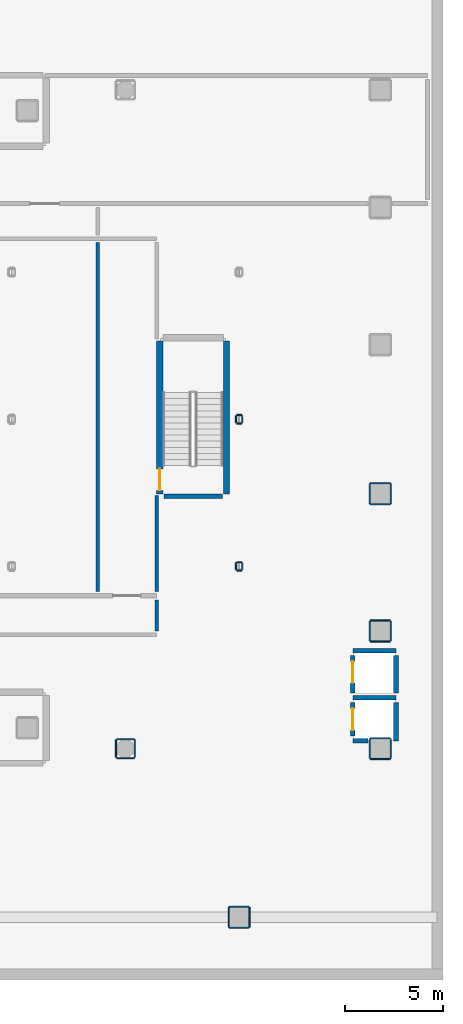
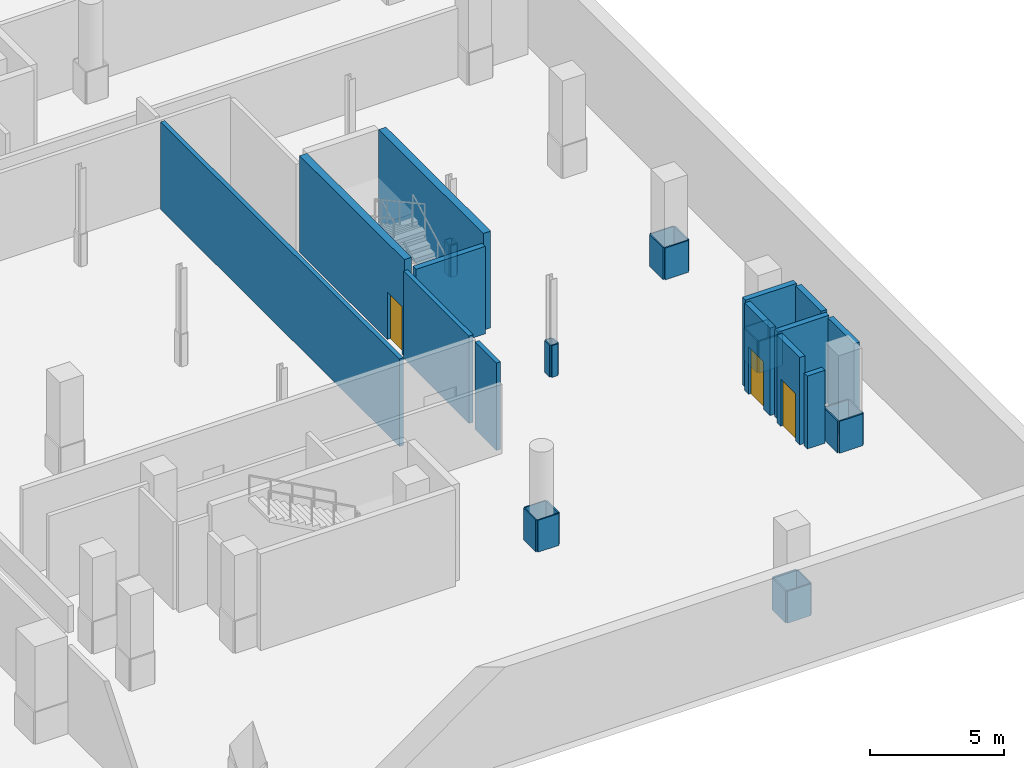
# One storey, part 15 of 22: 41 walls, 3 doors, 3 openings.
"""IFC4 building model written with IfcOpenShell, lengths in metres."""

from ifc_helpers import new_model, si_unit, direction, frame, frame_2d, origin, place, context, subcontext, project, spatial, rectangle, extrude, material, layer, layer_set, type_object, element, fill, save


model = new_model("IFC4")

# Units and contexts
model_context = context("Model", 3, precision=1e-05, world=origin(), true_north=direction((0.0, 1.0)))
body_context = subcontext(model_context, "Body", "Model", "MODEL_VIEW")
ifc_project = project(units=[si_unit("LENGTHUNIT", "METRE"), si_unit("AREAUNIT", "SQUARE_METRE"), si_unit("VOLUMEUNIT", "CUBIC_METRE"), si_unit("PLANEANGLEUNIT", "RADIAN"), si_unit("MASSUNIT", "GRAM", prefix="KILO")], contexts=[model_context])

# Site, building, storey
site_placement = place(None, origin())
site = spatial("IfcSite", under=ifc_project, at=site_placement, CompositionType="ELEMENT")
building_placement = place(site_placement, origin())
building = spatial("IfcBuilding", under=site, at=building_placement, Name="Solanera Arch Residences", CompositionType="ELEMENT")
storey_placement = place(building_placement, frame((0.0, 0.0, -4.39990234375)))
storey = spatial("IfcBuildingStorey", under=building, at=storey_placement, Name="B01", CompositionType="ELEMENT", Elevation=-4.39990234375)

# Walls
ifc_material_1 = material(Name="Fire-Rated Gypsum Stud Partition", Category="gypsum")
ifc_layer_1 = layer(ifc_material_1, 0.06005859375)
ifc_layer_set_1 = layer_set([ifc_layer_1], Name="Fire-Rated Gypsum Stud Partition")
wall_type_1 = type_object("IfcWallType", Name="Column Acoustic Furring Wall 60", PredefinedType="PARTITIONING", material=ifc_layer_set_1)
for number, where, z_axis, x_axis, name in (
    (1, (74.470947265625, 22.886962890625, 0.0), (0.0, 0.0, 1.0), (1.0, 0.0, 0.0), "B01 Column Furring 28S"),
    (2, (74.470947265625, 23.31396484375, 0.0), (0.0, 0.0, 1.0), (1.0, 0.0, 0.0), "B01 Column Furring 28N"),
):
    element("IfcWall", number, at=place(storey_placement, frame(where, z_axis=z_axis, x_axis=x_axis)), inside=storey, type_object=wall_type_1, Name=name, PredefinedType="PARTITIONING", context=body_context, shape_type="SweptSolid", body=[
        extrude(rectangle(XDim=0.257080078125, YDim=0.06005859375, at=frame_2d((0.12841796875, 0.0))), origin(), (0.0, 0.0, 1.0), 1.449951171875),
    ])
for number, where, z_axis, x_axis, name in (
    (3, (74.43896484375, 22.9189453125, 0.0), (0.0, 0.0, 1.0), (0.0, 1.0, 0.0), "B01 Column Furring 28W"),
    (4, (74.760009765625, 22.9189453125, 0.0), (0.0, 0.0, 1.0), (0.0, 1.0, 0.0), "B01 Column Furring 28E"),
):
    element("IfcWall", number, at=place(storey_placement, frame(where, z_axis=z_axis, x_axis=x_axis)), inside=storey, type_object=wall_type_1, Name=name, PredefinedType="PARTITIONING", context=body_context, shape_type="SweptSolid", body=[
        extrude(rectangle(XDim=0.363037109375, YDim=0.06005859375, at=frame_2d((0.181640625, 0.0))), origin(), (0.0, 0.0, 1.0), 1.449951171875),
    ])
for number, where, z_axis, x_axis, name in (
    (5, (74.470947265625, 30.386962890625, 0.0), (0.0, 0.0, 1.0), (1.0, 0.0, 0.0), "B01 Column Furring 30S"),
    (6, (74.470947265625, 30.81396484375, 0.0), (0.0, 0.0, 1.0), (1.0, 0.0, 0.0), "B01 Column Furring 30N"),
):
    element("IfcWall", number, at=place(storey_placement, frame(where, z_axis=z_axis, x_axis=x_axis)), inside=storey, type_object=wall_type_1, Name=name, PredefinedType="PARTITIONING", context=body_context, shape_type="SweptSolid", body=[
        extrude(rectangle(XDim=0.257080078125, YDim=0.06005859375, at=frame_2d((0.12841796875, 0.0))), origin(), (0.0, 0.0, 1.0), 1.449951171875),
    ])
for number, where, z_axis, x_axis, name in (
    (7, (74.43896484375, 30.4189453125, 0.0), (0.0, 0.0, 1.0), (0.0, 1.0, 0.0), "B01 Column Furring 30W"),
    (8, (74.760009765625, 30.4189453125, 0.0), (0.0, 0.0, 1.0), (0.0, 1.0, 0.0), "B01 Column Furring 30E"),
):
    element("IfcWall", number, at=place(storey_placement, frame(where, z_axis=z_axis, x_axis=x_axis)), inside=storey, type_object=wall_type_1, Name=name, PredefinedType="PARTITIONING", context=body_context, shape_type="SweptSolid", body=[
        extrude(rectangle(XDim=0.363037109375, YDim=0.06005859375, at=frame_2d((0.181640625, 0.0))), origin(), (0.0, 0.0, 1.0), 1.449951171875),
    ])
for number, where, z_axis, x_axis, name in (
    (9, (74.10009765625, 4.66796875, 0.0), (0.0, 0.0, 1.0), (1.0, 0.0, 0.0), "B01 Column Furring 37S"),
    (10, (74.10009765625, 5.73193359375, 0.0), (0.0, 0.0, 1.0), (1.0, 0.0, 0.0), "B01 Column Furring 37N"),
    (11, (74.068115234375, 4.699951171875, 0.0), (0.0, 0.0, 1.0), (0.0, 1.0, 0.0), "B01 Column Furring 37W"),
    (12, (75.132080078125, 4.699951171875, 0.0), (0.0, 0.0, 1.0), (0.0, 1.0, 0.0), "B01 Column Furring 37E"),
    (13, (81.300048828125, 13.26806640625, 0.0), (0.0, 0.0, 1.0), (1.0, 0.0, 0.0), "B01 Column Furring 49S"),
    (14, (81.300048828125, 14.33203125, 0.0), (0.0, 0.0, 1.0), (1.0, 0.0, 0.0), "B01 Column Furring 49N"),
    (15, (81.26806640625, 13.300048828125, 0.0), (0.0, 0.0, 1.0), (0.0, 1.0, 0.0), "B01 Column Furring 49W"),
    (16, (82.33203125, 13.300048828125, 0.0), (0.0, 0.0, 1.0), (0.0, 1.0, 0.0), "B01 Column Furring 49E"),
    (17, (81.300048828125, 19.26806640625, 0.0), (0.0, 0.0, 1.0), (1.0, 0.0, 0.0), "B01 Column Furring 50S"),
    (18, (81.300048828125, 20.33203125, 0.0), (0.0, 0.0, 1.0), (1.0, 0.0, 0.0), "B01 Column Furring 50N"),
    (19, (81.26806640625, 19.300048828125, 0.0), (0.0, 0.0, 1.0), (0.0, 1.0, 0.0), "B01 Column Furring 50W"),
    (20, (82.33203125, 19.300048828125, 0.0), (0.0, 0.0, 1.0), (0.0, 1.0, 0.0), "B01 Column Furring 50E"),
    (21, (81.300048828125, 26.26806640625, 0.0), (0.0, 0.0, 1.0), (1.0, 0.0, 0.0), "B01 Column Furring 51S"),
    (22, (81.300048828125, 27.33203125, 0.0), (0.0, 0.0, 1.0), (1.0, 0.0, 0.0), "B01 Column Furring 51N"),
    (23, (81.26806640625, 26.300048828125, 0.0), (0.0, 0.0, 1.0), (0.0, 1.0, 0.0), "B01 Column Furring 51W"),
    (24, (82.33203125, 26.300048828125, 0.0), (0.0, 0.0, 1.0), (0.0, 1.0, 0.0), "B01 Column Furring 51E"),
):
    element("IfcWall", number, at=place(storey_placement, frame(where, z_axis=z_axis, x_axis=x_axis)), inside=storey, type_object=wall_type_1, Name=name, PredefinedType="PARTITIONING", context=body_context, shape_type="SweptSolid", body=[
        extrude(rectangle(XDim=1.0, YDim=0.06005859375, at=frame_2d((0.5, 0.0))), origin(), (0.0, 0.0, 1.0), 1.449951171875),
    ])
for number, where, z_axis, x_axis, name in (
    (25, (68.35009765625, 13.318115234375, 0.0), (0.0, 0.0, 1.0), (1.0, 0.0, 0.0), "B01 Column Furring 55S"),
    (26, (68.35009765625, 14.281982421875, 0.0), (0.0, 0.0, 1.0), (1.0, 0.0, 0.0), "B01 Column Furring 55N"),
    (27, (68.318115234375, 13.35009765625, 0.0), (0.0, 0.0, 1.0), (0.0, 1.0, 0.0), "B01 Column Furring 55W"),
    (28, (69.281982421875, 13.35009765625, 0.0), (0.0, 0.0, 1.0), (0.0, 1.0, 0.0), "B01 Column Furring 55E"),
):
    element("IfcWall", number, at=place(storey_placement, frame(where, z_axis=z_axis, x_axis=x_axis)), inside=storey, type_object=wall_type_1, Name=name, PredefinedType="PARTITIONING", context=body_context, shape_type="SweptSolid", body=[
        extrude(rectangle(XDim=0.89990234375, YDim=0.06005859375, at=frame_2d((0.449951171875, 0.0))), origin(), (0.0, 0.0, 1.0), 1.449951171875),
    ])
ifc_material_2 = material(Name="Concrete C40/50 (f'c = 45 MPa)", Category="concrete")
ifc_layer_2 = layer(ifc_material_2, 0.320068359375)
ifc_layer_set_2 = layer_set([ifc_layer_2], Name="Concrete C40/50 (f'c = 45 MPa)")
wall_type_2 = type_object("IfcWallType", Name="Core Shear Wall CW-320", PredefinedType="SHEAR", material=ifc_layer_set_2)
wall_1_placement = place(storey_placement, frame((73.9599609375, 26.800048828125, 0.0), z_axis=(0.0, 0.0, 1.0), x_axis=(0.0, 1.0, 0.0)))
element("IfcWall", 29, at=wall_1_placement, inside=storey, type_object=wall_type_2, Name="B01 Stair ST-B1 East Shear Wall", PredefinedType="SHEAR", context=body_context, shape_type="SweptSolid", body=[
    extrude(rectangle(XDim=7.800048828125, YDim=0.320068359375, at=frame_2d((3.89990234375, 0.0))), origin(), (0.0, 0.0, 1.0), 4.39990234375),
])

# Wall, opening, door
wall_2_placement = place(storey_placement, frame((70.56005859375, 26.800048828125, 0.0), z_axis=(0.0, 0.0, 1.0), x_axis=(0.0, 1.0, 0.0)))
wall_2 = element("IfcWall", 30, at=wall_2_placement, inside=storey, type_object=wall_type_2, Name="B01 Stair ST-B1 West Shear Wall", PredefinedType="SHEAR", context=body_context, shape_type="SweptSolid", body=[
    extrude(rectangle(XDim=7.800048828125, YDim=0.320068359375, at=frame_2d((3.89990234375, 0.0))), origin(), (0.0, 0.0, 1.0), 4.39990234375),
])
opening_1_placement = place(wall_2_placement, frame((0.169921875, 0.0, 0.0)))
opening_1 = element("IfcOpeningElement", 31, at=opening_1_placement, cuts=wall_2, Name="Opening DF-01", PredefinedType="OPENING", context=body_context, shape_type="SweptSolid", body=[
    extrude(rectangle(XDim=1.10009765625, YDim=2.14990234375, at=frame_2d((0.550048828125, 1.074951171875))), frame((0.0, 0.169921875, 0.0), z_axis=(0.0, -1.0, 0.0), x_axis=(1.0, 0.0, 0.0)), (0.0, 0.0, 1.0), 0.3401),
])
ifc_material_3 = material(Name="Fire-Rated Architectural Hardwood", Category="wood")
door_type_1 = type_object("IfcDoorType", Name="Stair Exit Fire Door DF-01", OperationType="NOTDEFINED", PredefinedType="DOOR", material=ifc_material_3)
door_1_placement = place(opening_1_placement, origin())
door_1 = element("IfcDoor", 32, at=door_1_placement, inside=storey, type_object=door_type_1, Name="DR-B01-STAIR-ST-B1", OperationType="SINGLE_SWING_LEFT", OverallHeight=2.14990234375, OverallWidth=1.10009765625, PredefinedType="DOOR", context=body_context, shape_type="SweptSolid", body=[
    extrude(rectangle(XDim=1.10009765625, YDim=2.14990234375, at=frame_2d((0.550048828125, 1.074951171875))), frame((0.0, 0.02490234375, 0.0), z_axis=(0.0, -1.0, 0.0), x_axis=(1.0, 0.0, 0.0)), (0.0, 0.0, 1.0), 0.050048828125),
])
fill(opening_1, door_1)

# Walls
ifc_material_4 = material(Name="Autoclaved Aerated Concrete Blockwork", Category="masonry")
ifc_layer_3 = layer(ifc_material_4, 0.179931640625)
ifc_layer_set_3 = layer_set([ifc_layer_3], Name="Autoclaved Aerated Concrete Blockwork")
wall_type_3 = type_object("IfcWallType", Name="Corridor Fire Partition 180", PredefinedType="PARTITIONING", material=ifc_layer_set_3)
wall_3_placement = place(storey_placement, frame((67.39990234375, 21.818115234375, 0.0), z_axis=(0.0, 0.0, 1.0), x_axis=(0.0, 1.0, 0.0)))
element("IfcWall", 33, at=wall_3_placement, inside=storey, type_object=wall_type_3, Name="B01 Interior Partition V19 1", PredefinedType="PARTITIONING", context=body_context, shape_type="SweptSolid", body=[
    extrude(rectangle(XDim=17.7939453125, YDim=0.179931640625, at=frame_2d((8.89697265625, 0.0))), origin(), (0.0, 0.0, 1.0), 3.97998046875),
])
wall_4_placement = place(storey_placement, frame((70.39990234375, 19.7880859375, 0.0), z_axis=(0.0, 0.0, 1.0), x_axis=(0.0, 1.0, 0.0)))
element("IfcWall", 34, at=wall_4_placement, inside=storey, type_object=wall_type_3, Name="B01 Interior Partition V20 1", PredefinedType="PARTITIONING", context=body_context, shape_type="SweptSolid", body=[
    extrude(rectangle(XDim=1.593994140625, YDim=0.179931640625, at=frame_2d((0.796875, 0.0))), origin(), (0.0, 0.0, 1.0), 3.97998046875),
])
wall_5_placement = place(storey_placement, frame((70.39990234375, 21.818115234375, 0.0), z_axis=(0.0, 0.0, 1.0), x_axis=(0.0, 1.0, 0.0)))
element("IfcWall", 35, at=wall_5_placement, inside=storey, type_object=wall_type_3, Name="B01 Interior Partition V20 2", PredefinedType="PARTITIONING", context=body_context, shape_type="SweptSolid", body=[
    extrude(rectangle(XDim=4.8818359375, YDim=0.179931640625, at=frame_2d((2.44091796875, 0.0))), origin(), (0.0, 0.0, 1.0), 3.97998046875),
])
ifc_material_5 = material(Name="Autoclaved Aerated Concrete Blockwork", Category="masonry")
ifc_layer_4 = layer(ifc_material_5, 0.239990234375)
ifc_layer_set_4 = layer_set([ifc_layer_4], Name="Autoclaved Aerated Concrete Blockwork")
wall_type_4 = type_object("IfcWallType", Name="Shaft Wall Fire-Rated 240", PredefinedType="PARTITIONING", material=ifc_layer_set_4)
wall_6_placement = place(storey_placement, frame((70.77001953125, 26.679931640625, 0.0), z_axis=(0.0, 0.0, 1.0), x_axis=(1.0, 0.0, 0.0)))
element("IfcWall", 36, at=wall_6_placement, inside=storey, type_object=wall_type_4, Name="B01 Stair ST-B1 South Wall", PredefinedType="PARTITIONING", context=body_context, shape_type="SweptSolid", body=[
    extrude(rectangle(XDim=2.97998046875, YDim=0.239990234375, at=frame_2d((1.489990234375, 0.0))), origin(), (0.0, 0.0, 1.0), 3.97998046875),
])
wall_7_placement = place(storey_placement, frame((80.39990234375, 14.199951171875, 0.0), z_axis=(0.0, 0.0, 1.0), x_axis=(1.0, 0.0, 0.0)))
element("IfcWall", 37, at=wall_7_placement, inside=storey, type_object=wall_type_4, Name="B01 Lift PL-SH1 Hoistway Wall S", PredefinedType="PARTITIONING", context=body_context, shape_type="SweptSolid", body=[
    extrude(rectangle(XDim=0.76806640625, YDim=0.239990234375, at=frame_2d((0.384033203125, 0.0))), origin(), (0.0, 0.0, 1.0), 3.31494140625),
])
wall_8_placement = place(storey_placement, frame((80.39990234375, 16.39990234375, 0.0), z_axis=(0.0, 0.0, 1.0), x_axis=(1.0, 0.0, 0.0)))
element("IfcWall", 38, at=wall_8_placement, inside=storey, type_object=wall_type_4, Name="B01 Lift PL-SH1 Hoistway Wall N", PredefinedType="PARTITIONING", context=body_context, shape_type="SweptSolid", body=[
    extrude(rectangle(XDim=2.2001953125, YDim=0.239990234375, at=frame_2d((1.10009765625, 0.0))), origin(), (0.0, 0.0, 1.0), 3.97998046875),
])

# Wall, opening, door
wall_9_placement = place(storey_placement, frame((80.39990234375, 14.447998046875, 0.0), z_axis=(0.0, 0.0, 1.0), x_axis=(0.0, 1.0, 0.0)))
wall_9 = element("IfcWall", 39, at=wall_9_placement, inside=storey, type_object=wall_type_4, Name="B01 Lift PL-SH1 Hoistway Wall W", PredefinedType="PARTITIONING", context=body_context, shape_type="SweptSolid", body=[
    extrude(rectangle(XDim=1.7041015625, YDim=0.239990234375, at=frame_2d((0.85205078125, 0.0))), origin(), (0.0, 0.0, 1.0), 3.97998046875),
])
opening_2_placement = place(wall_9_placement, frame((0.302001953125, 0.0, 0.0)))
opening_2 = element("IfcOpeningElement", 40, at=opening_2_placement, cuts=wall_9, Name="Opening LD-01", PredefinedType="OPENING", context=body_context, shape_type="SweptSolid", body=[
    extrude(rectangle(XDim=1.10009765625, YDim=2.14990234375, at=frame_2d((0.550048828125, 1.074951171875))), frame((0.0, 0.1298828125, 0.0), z_axis=(0.0, -1.0, 0.0), x_axis=(1.0, 0.0, 0.0)), (0.0, 0.0, 1.0), 0.26),
])
ifc_material_6 = material(Name="Anodised Aluminium Alloy 6063-T6", Category="aluminium")
door_type_2 = type_object("IfcDoorType", Name="Lift Landing Sliding Door LD-01", OperationType="NOTDEFINED", PredefinedType="DOOR", material=ifc_material_6)
door_2_placement = place(opening_2_placement, origin())
door_2 = element("IfcDoor", 41, at=door_2_placement, inside=storey, type_object=door_type_2, Name="DR-B01-LIFT-PL-SH1", OperationType="SLIDING_TO_LEFT", OverallHeight=2.14990234375, OverallWidth=1.10009765625, PredefinedType="DOOR", context=body_context, shape_type="SweptSolid", body=[
    extrude(rectangle(XDim=1.10009765625, YDim=2.14990234375, at=frame_2d((0.550048828125, 1.074951171875))), frame((0.0, 0.02490234375, 0.0), z_axis=(0.0, -1.0, 0.0), x_axis=(1.0, 0.0, 0.0)), (0.0, 0.0, 1.0), 0.050048828125),
])
fill(opening_2, door_2)

# Walls
wall_10_placement = place(storey_placement, frame((82.60009765625, 14.199951171875, 0.0), z_axis=(0.0, 0.0, 1.0), x_axis=(0.0, 1.0, 0.0)))
element("IfcWall", 42, at=wall_10_placement, inside=storey, type_object=wall_type_4, Name="B01 Lift PL-SH1 Hoistway Wall E", PredefinedType="PARTITIONING", context=body_context, shape_type="SweptSolid", body=[
    extrude(rectangle(XDim=1.9521484375, YDim=0.239990234375, at=frame_2d((0.97607421875, 0.0))), origin(), (0.0, 0.0, 1.0), 3.97998046875),
])
wall_11_placement = place(storey_placement, frame((80.39990234375, 18.800048828125, 0.0), z_axis=(0.0, 0.0, 1.0), x_axis=(1.0, 0.0, 0.0)))
element("IfcWall", 43, at=wall_11_placement, inside=storey, type_object=wall_type_4, Name="B01 Lift PL-SH2 Hoistway Wall N", PredefinedType="PARTITIONING", context=body_context, shape_type="SweptSolid", body=[
    extrude(rectangle(XDim=2.2001953125, YDim=0.239990234375, at=frame_2d((1.10009765625, 0.0))), origin(), (0.0, 0.0, 1.0), 3.97998046875),
])

# Wall, opening, door
wall_12_placement = place(storey_placement, frame((80.39990234375, 16.64794921875, 0.0), z_axis=(0.0, 0.0, 1.0), x_axis=(0.0, 1.0, 0.0)))
wall_12 = element("IfcWall", 44, at=wall_12_placement, inside=storey, type_object=wall_type_4, Name="B01 Lift PL-SH2 Hoistway Wall W", PredefinedType="PARTITIONING", context=body_context, shape_type="SweptSolid", body=[
    extrude(rectangle(XDim=1.904052734375, YDim=0.239990234375, at=frame_2d((0.9521484375, 0.0))), origin(), (0.0, 0.0, 1.0), 3.97998046875),
])
opening_3_placement = place(wall_12_placement, frame((0.501953125, 0.0, 0.0)))
opening_3 = element("IfcOpeningElement", 45, at=opening_3_placement, cuts=wall_12, Name="Opening LD-01", PredefinedType="OPENING", context=body_context, shape_type="SweptSolid", body=[
    extrude(rectangle(XDim=1.10009765625, YDim=2.14990234375, at=frame_2d((0.550048828125, 1.074951171875))), frame((0.0, 0.1298828125, 0.0), z_axis=(0.0, -1.0, 0.0), x_axis=(1.0, 0.0, 0.0)), (0.0, 0.0, 1.0), 0.26),
])
door_3_placement = place(opening_3_placement, origin())
door_3 = element("IfcDoor", 46, at=door_3_placement, inside=storey, type_object=door_type_2, Name="DR-B01-LIFT-PL-SH2", OperationType="SLIDING_TO_RIGHT", OverallHeight=2.14990234375, OverallWidth=1.10009765625, PredefinedType="DOOR", context=body_context, shape_type="SweptSolid", body=[
    extrude(rectangle(XDim=1.10009765625, YDim=2.14990234375, at=frame_2d((0.550048828125, 1.074951171875))), frame((0.0, 0.02490234375, 0.0), z_axis=(0.0, -1.0, 0.0), x_axis=(1.0, 0.0, 0.0)), (0.0, 0.0, 1.0), 0.050048828125),
])
fill(opening_3, door_3)

# Wall
wall_13_placement = place(storey_placement, frame((82.60009765625, 16.64794921875, 0.0), z_axis=(0.0, 0.0, 1.0), x_axis=(0.0, 1.0, 0.0)))
element("IfcWall", 47, at=wall_13_placement, inside=storey, type_object=wall_type_4, Name="B01 Lift PL-SH2 Hoistway Wall E", PredefinedType="PARTITIONING", context=body_context, shape_type="SweptSolid", body=[
    extrude(rectangle(XDim=1.904052734375, YDim=0.239990234375, at=frame_2d((0.9521484375, 0.0))), origin(), (0.0, 0.0, 1.0), 3.97998046875),
])

save(model, "model.ifc")
